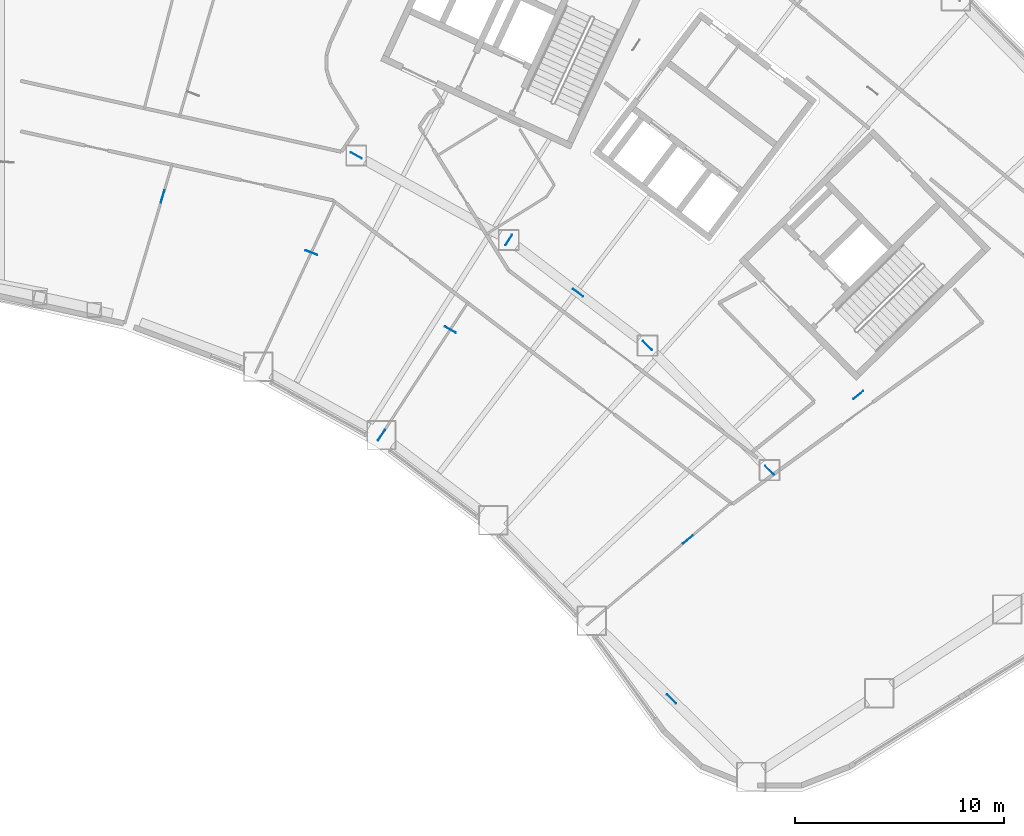
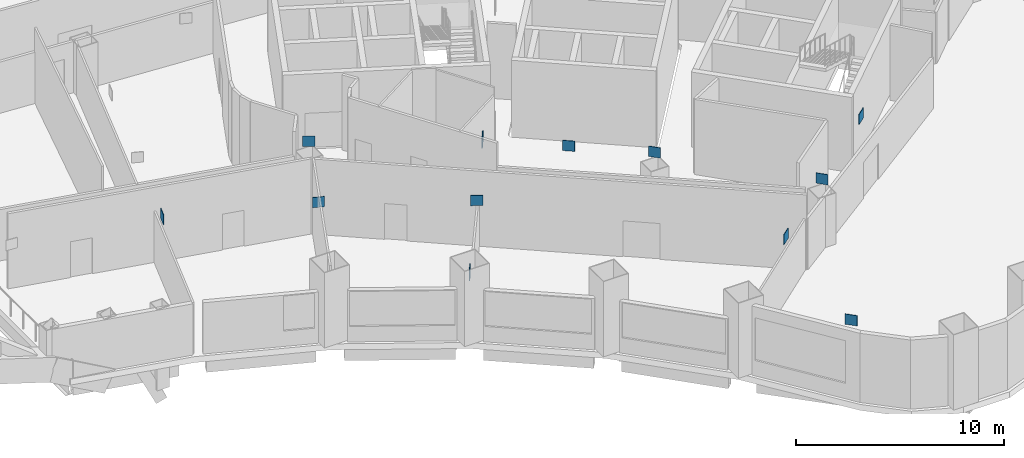
# One storey, part 19 of 24: 12 discrete accessories.
"""IFC4 building model written with IfcOpenShell, lengths in metres."""

from ifc_helpers import new_model, si_unit, direction, frame, origin, origin_2d, place, context, subcontext, project, spatial, rectangle, extrude, material, type_object, element, save


model = new_model("IFC4")

# Units and contexts
model_context = context("Model", 3, precision=1e-05, world=origin(), true_north=direction((0.0, 1.0)))
body_context = subcontext(model_context, "Body", "Model", "MODEL_VIEW")
ifc_project = project(units=[si_unit("LENGTHUNIT", "METRE"), si_unit("AREAUNIT", "SQUARE_METRE"), si_unit("VOLUMEUNIT", "CUBIC_METRE"), si_unit("PLANEANGLEUNIT", "RADIAN"), si_unit("MASSUNIT", "GRAM", prefix="KILO")], contexts=[model_context])

# Site, building, storey
site_placement = place(None, origin())
site = spatial("IfcSite", under=ifc_project, at=site_placement, CompositionType="ELEMENT")
building_placement = place(site_placement, origin())
building = spatial("IfcBuilding", under=site, at=building_placement, Name="Tuul Gate Civic Tower", CompositionType="ELEMENT")
storey_placement = place(building_placement, frame((0.0, 0.0, 21.89990234375)))
storey = spatial("IfcBuildingStorey", under=building, at=storey_placement, Name="Level 04", CompositionType="ELEMENT", Elevation=21.89990234375)

# Discrete accessories
ifc_material = material(Name="Steel S355", Category="steel")
discrete_accessory_type = type_object("IfcDiscreteAccessoryType", Name="Gusset plate", PredefinedType="BRACKET", material=ifc_material)
for number, where, z_axis, x_axis, name in (
    (1, (14.9873046875, -9.639892578125, 3.39697265625), (0.0, 0.0, 1.0), (0.28519561857, 0.958469331355, 0.0), "Gusset plate"),
    (2, (40.081298828125, -26.0263671875, 3.39697265625), (0.0, 0.0, 1.0), (0.762835003285, 0.646593193409, 0.0), "Gusset plate"),
    (3, (31.522705078125, -11.724365234375, 3.396484375), (0.0, 0.0, 1.0), (0.546705342807, 0.837325067191, 0.0), "Gusset plate"),
    (4, (48.2265625, -19.1220703125, 3.396728515625), (0.0, 0.0, 1.0), (0.762835003285, 0.646593193409, 0.0), "Gusset plate"),
    (5, (25.438720703125, -21.045654296875, 3.39697265625), (0.0, 0.0, 1.0), (0.546705342807, 0.837325067191, 0.0), "Gusset plate"),
    (6, (39.297607421875, -33.64501953125, 3.396728515625), (0.0, 0.0, 1.0), (-0.714249430568, 0.699891242218, 0.0), "Gusset plate"),
    (7, (24.236083984375, -7.684814453125, 3.396240234375), (0.0, 0.0, 1.0), (0.874596656959, -0.484851201541, 0.0), "Gusset plate"),
    (8, (34.836181640625, -14.24755859375, 3.396240234375), (0.0, 0.0, 1.0), (-0.795623663767, 0.605791206319, 0.0), "Gusset plate"),
    (9, (38.147705078125, -16.768310546875, 3.396240234375), (0.0, 0.0, 1.0), (0.700009397894, -0.714133630954, 0.0), "Gusset plate"),
    (10, (43.98388671875, -22.722412109375, 3.396240234375), (0.0, 0.0, 1.0), (-0.700009397894, 0.714133630954, 0.0), "Gusset plate"),
    (11, (28.730712890625, -16.008056640625, 3.397216796875), (0.0, 0.0, 1.0), (-0.874598044765, 0.484848698146, 0.0), "Gusset plate"),
    (12, (22.0908203125, -12.326416015625, 3.397216796875), (0.0, 0.0, 1.0), (-0.935367540469, 0.353677203444, 0.0), "Gusset plate"),
):
    element("IfcDiscreteAccessory", number, at=place(storey_placement, frame(where, z_axis=z_axis, x_axis=x_axis)), inside=storey, type_object=discrete_accessory_type, Name=name, PredefinedType="BRACKET", context=body_context, shape_type="SweptSolid", body=[
        extrude(rectangle(XDim=0.60009765625, YDim=0.030029296875, at=origin_2d()), origin(), (0.0, 0.0, 1.0), 0.60009765625),
    ])

save(model, "model.ifc")
